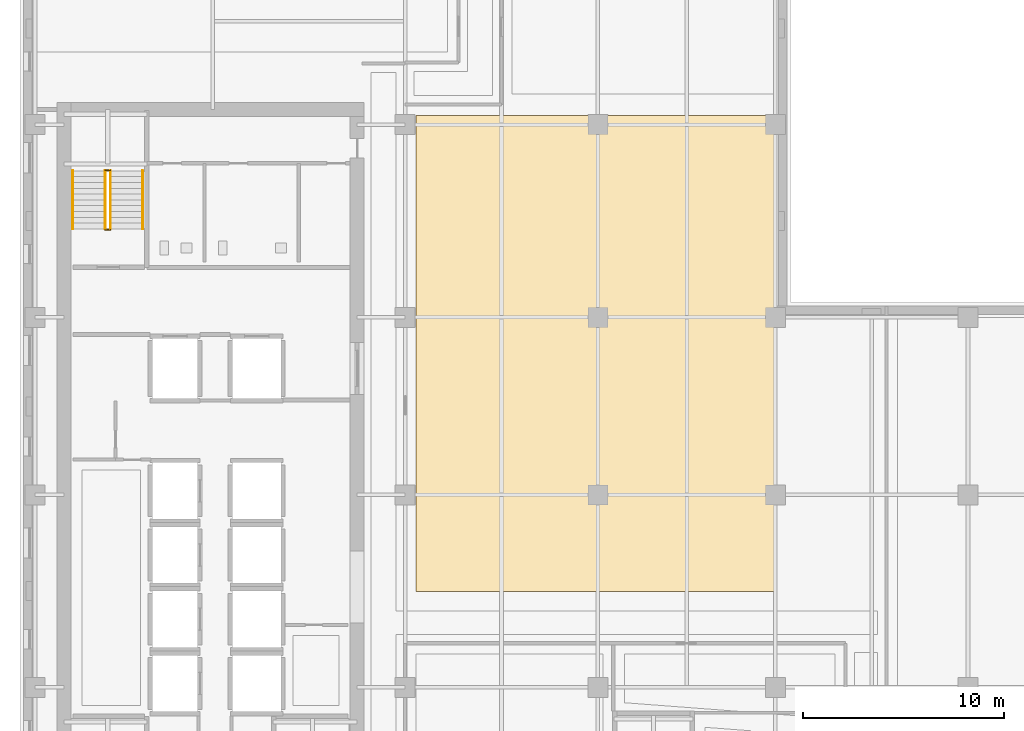
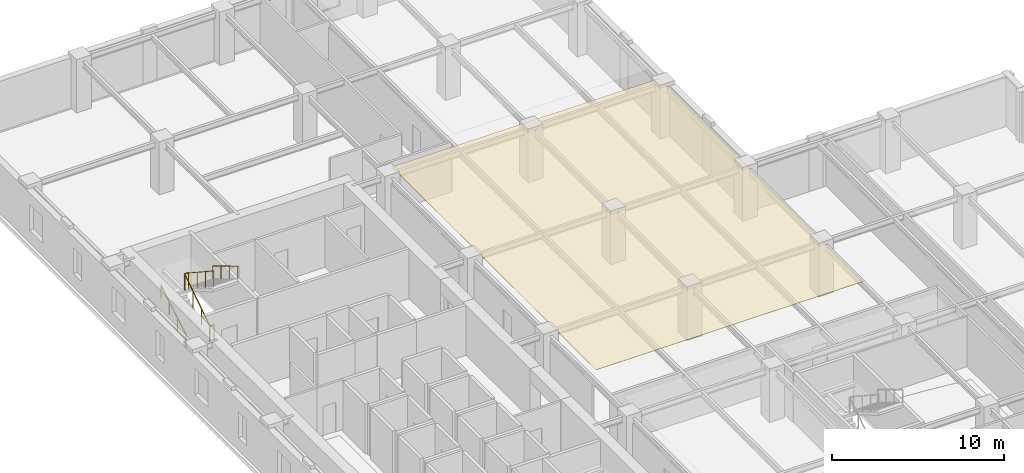
# One storey, part 10 of 12: 6 railings, 1 covering.
"""IFC4 building model written with IfcOpenShell, lengths in metres."""

from ifc_helpers import new_model, si_unit, direction, frame, origin, origin_2d, place, context, subcontext, project, spatial, polyline, circle, outline, extrude, material, layer, layer_set, type_object, element, save


model = new_model("IFC4")

# Units and contexts
model_context = context("Model", 3, precision=1e-05, world=origin(), true_north=direction((0.0, 1.0)))
body_context = subcontext(model_context, "Body", "Model", "MODEL_VIEW")
ifc_project = project(units=[si_unit("LENGTHUNIT", "METRE"), si_unit("AREAUNIT", "SQUARE_METRE"), si_unit("VOLUMEUNIT", "CUBIC_METRE"), si_unit("PLANEANGLEUNIT", "RADIAN"), si_unit("MASSUNIT", "GRAM", prefix="KILO")], contexts=[model_context])

# Site, building, storey
site_placement = place(None, origin())
site = spatial("IfcSite", under=ifc_project, at=site_placement, CompositionType="ELEMENT")
building_placement = place(site_placement, origin())
building = spatial("IfcBuilding", under=site, at=building_placement, Name="Norrvale University Quadrangle", CompositionType="ELEMENT")
storey_placement = place(building_placement, frame((0.0, 0.0, 101.39990234375)))
storey = spatial("IfcBuildingStorey", under=building, at=storey_placement, Name="L25", CompositionType="ELEMENT", Elevation=101.39990234375)

# Covering
ifc_material_1 = material(Name="Perforated Acoustic Mineral Ceiling")
ifc_layer = layer(ifc_material_1, 0.02490234375, Name="Perforated Acoustic Mineral Ceiling")
ifc_layer_set = layer_set([ifc_layer], Name="Perforated Acoustic Mineral Ceiling")
covering_type = type_object("IfcCoveringType", Name="Covering Acoustic Ceiling 25", PredefinedType="CEILING", material=ifc_layer_set)
covering_placement = place(storey_placement, frame((0.0, 0.0, 3.51513671875)))
element("IfcCovering", 1, at=covering_placement, inside=storey, type_object=covering_type, Name="Acoustic Ceiling RM-L25-MNE01", PredefinedType="CEILING", context=body_context, shape_type="SweptSolid", body=[
    extrude(outline(polyline([(19.72998046875, 47.719970703125), (37.64990234375, 47.719970703125), (37.64990234375, 23.97998046875), (19.72998046875, 23.97998046875), (19.72998046875, 47.719970703125)])), origin(), (0.0, 0.0, 1.0), 0.02490234375),
])

# Railings
ifc_material_2 = material(Name="Steel 350W Painted Balustrade", Category="steel")
railing_type_1 = type_object("IfcRailingType", Name="Railing Stair Guard 1100", PredefinedType="GUARDRAIL", material=ifc_material_2)
for number, where, name in (
    (2, (4.239990234375, 42.02001953125, 0.0), "Stair Floor Well Guard ST-02 L25"),
    (3, (4.239990234375, 44.97998046875, 1.900146484375), "Stair Mid-Landing Slot Guard ST-02 L25"),
):
    element("IfcRailing", number, at=place(storey_placement, frame(where)), inside=storey, type_object=railing_type_1, Name=name, PredefinedType="GUARDRAIL", context=body_context, shape_type="SweptSolid", body=[
        extrude(circle(Radius=0.02392578125, at=origin_2d()), frame((0.0, 0.0, 1.1259765625), z_axis=(1.0, 0.0, 0.0), x_axis=(0.0, 1.0, 0.0)), (0.0, 0.0, 1.0), 0.27001953125),
        extrude(circle(Radius=0.02099609375, at=origin_2d()), origin(), (0.0, 0.0, 1.0), 1.101806640625),
        extrude(circle(Radius=0.02099609375, at=origin_2d()), frame((0.27001953125, 0.0, 0.0)), (0.0, 0.0, 1.0), 1.101806640625),
    ])
railing_1_placement = place(storey_placement, frame((4.239990234375, 42.050048828125, 0.0)))
element("IfcRailing", 4, at=railing_1_placement, inside=storey, type_object=railing_type_1, Name="Stair Lower Flight Inner Guard ST-02 L25", PredefinedType="GUARDRAIL", context=body_context, shape_type="SweptSolid", body=[
    extrude(circle(Radius=0.02392578125, at=origin_2d()), frame((0.0, 0.0, 1.1259765625), z_axis=(0.0, 0.836433300813, 0.548068730445), x_axis=(-1.0, 0.0, 0.0)), (0.0, 0.0, 1.0), 3.467041015625),
    extrude(circle(Radius=0.02099609375, at=origin_2d()), origin(), (0.0, 0.0, 1.0), 1.101806640625),
    extrude(circle(Radius=0.02099609375, at=origin_2d()), frame((0.0, 0.966552734375, 0.63330078125)), (0.0, 0.0, 1.0), 1.101806640625),
    extrude(circle(Radius=0.02099609375, at=origin_2d()), frame((0.0, 1.933349609375, 1.266845703125)), (0.0, 0.0, 1.0), 1.101806640625),
    extrude(circle(Radius=0.02099609375, at=origin_2d()), frame((0.0, 2.89990234375, 1.900146484375)), (0.0, 0.0, 1.0), 1.101806640625),
])
railing_2_placement = place(storey_placement, frame((4.510009765625, 44.949951171875, 1.900146484375)))
element("IfcRailing", 5, at=railing_2_placement, inside=storey, type_object=railing_type_1, Name="Stair Upper Flight Inner Guard ST-02 L25", PredefinedType="GUARDRAIL", context=body_context, shape_type="SweptSolid", body=[
    extrude(circle(Radius=0.02392578125, at=origin_2d()), frame((0.0, 0.0, 1.1259765625), z_axis=(0.0, -0.836465582154, 0.548019461216), x_axis=(1.0, 0.0, 0.0)), (0.0, 0.0, 1.0), 3.466796875),
    extrude(circle(Radius=0.02099609375, at=origin_2d()), origin(), (0.0, 0.0, 1.0), 1.101806640625),
    extrude(circle(Radius=0.02099609375, at=origin_2d()), frame((0.0, -0.966552734375, 0.63330078125)), (0.0, 0.0, 1.0), 1.101806640625),
    extrude(circle(Radius=0.02099609375, at=origin_2d()), frame((0.0, -1.933349609375, 1.2666015625)), (0.0, 0.0, 1.0), 1.101806640625),
    extrude(circle(Radius=0.02099609375, at=origin_2d()), frame((0.0, -2.89990234375, 1.89990234375)), (0.0, 0.0, 1.0), 1.101806640625),
])
ifc_material_3 = material(Name="Stainless Steel 316L Handrail", Category="steel")
railing_type_2 = type_object("IfcRailingType", Name="Railing Stair Handrail 920", PredefinedType="HANDRAIL", material=ifc_material_3)
railing_3_placement = place(storey_placement, frame((2.639892578125, 42.050048828125, 0.1728515625)))
element("IfcRailing", 6, at=railing_3_placement, inside=storey, type_object=railing_type_2, Name="Stair Lower Flight Handrail ST-02 L25", PredefinedType="HANDRAIL", context=body_context, shape_type="SweptSolid", body=[
    extrude(circle(Radius=0.02392578125, at=origin_2d()), frame((0.0, 0.0, 0.89599609375), z_axis=(0.0, 0.859141464434, 0.511738159696), x_axis=(-1.0, 0.0, 0.0)), (0.0, 0.0, 1.0), 3.375244140625),
    extrude(circle(Radius=0.02099609375, at=origin_2d()), origin(), (0.0, 0.0, 1.0), 0.871826171875),
    extrude(circle(Radius=0.02099609375, at=origin_2d()), frame((0.0, 0.966552734375, 0.57568359375)), (0.0, 0.0, 1.0), 0.871826171875),
    extrude(circle(Radius=0.02099609375, at=origin_2d()), frame((0.0, 1.933349609375, 1.151611328125)), (0.0, 0.0, 1.0), 0.871826171875),
    extrude(circle(Radius=0.02099609375, at=origin_2d()), frame((0.0, 2.89990234375, 1.727294921875)), (0.0, 0.0, 1.0), 0.871826171875),
])
railing_4_placement = place(storey_placement, frame((6.110107421875, 44.949951171875, 2.07275390625)))
element("IfcRailing", 7, at=railing_4_placement, inside=storey, type_object=railing_type_2, Name="Stair Upper Flight Handrail ST-02 L25", PredefinedType="HANDRAIL", context=body_context, shape_type="SweptSolid", body=[
    extrude(circle(Radius=0.02392578125, at=origin_2d()), frame((0.0, 0.0, 0.89599609375), z_axis=(0.0, -0.859141464434, 0.511738159696), x_axis=(1.0, 0.0, 0.0)), (0.0, 0.0, 1.0), 3.375244140625),
    extrude(circle(Radius=0.02099609375, at=origin_2d()), origin(), (0.0, 0.0, 1.0), 0.871826171875),
    extrude(circle(Radius=0.02099609375, at=origin_2d()), frame((0.0, -0.966552734375, 0.57568359375)), (0.0, 0.0, 1.0), 0.871826171875),
    extrude(circle(Radius=0.02099609375, at=origin_2d()), frame((0.0, -1.933349609375, 1.151611328125)), (0.0, 0.0, 1.0), 0.871826171875),
    extrude(circle(Radius=0.02099609375, at=origin_2d()), frame((0.0, -2.89990234375, 1.727294921875)), (0.0, 0.0, 1.0), 0.871826171875),
])

save(model, "model.ifc")
